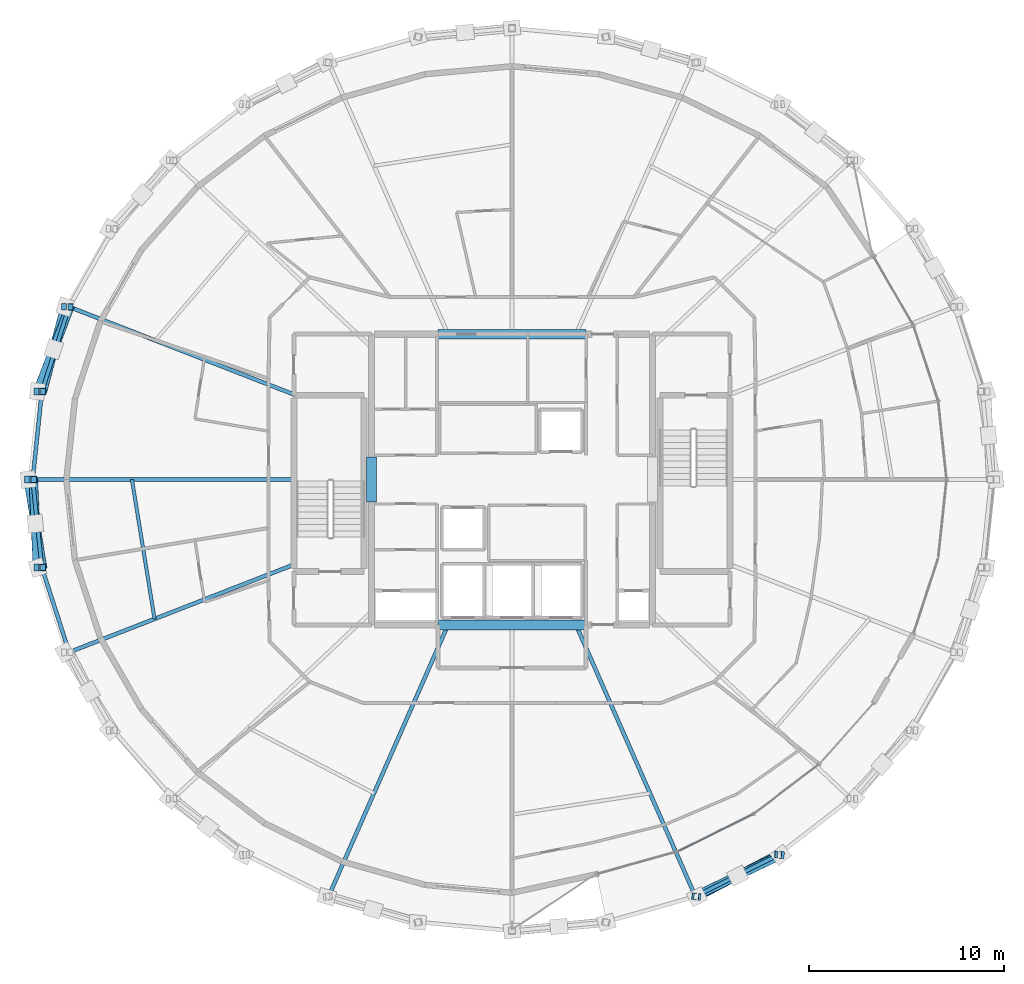
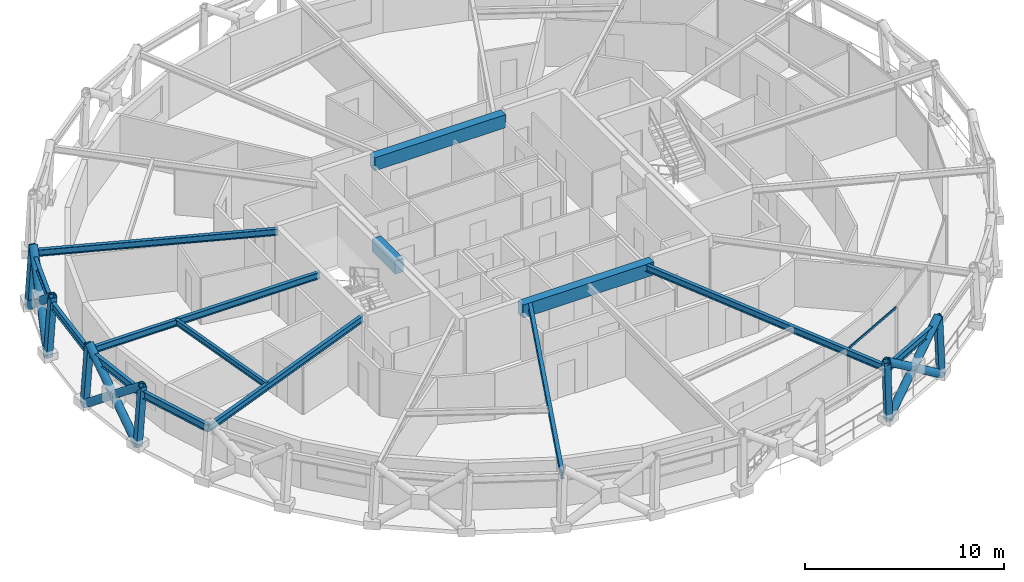
# One storey, part 3 of 17: 16 members, 14 beams, 1 element without a shape of its own.
"""IFC4 building model written with IfcOpenShell, lengths in metres."""

import ifcopenshell
import ifcopenshell.guid

model = None  # the IFC model being written
_history = None  # IfcOwnerHistory: only IFC2X3 demands one
_inside = {}  # id of a spatial element -> (the spatial element, [elements in it])
_under = {}  # id of a project, library or spatial element -> (it, [spatial elements below it])
_declared = {}  # id of a project -> (the project, [libraries it declares])
_typed = {}  # id of a type object -> (the type object, [elements of that type])
_made_of = {}  # id of a material, layer set ... -> (it, [elements and type objects made of it])


def new_model(schema):
    """Start an empty IFC model of exactly this schema.

    Asked for "IFC4X3", IfcOpenShell would pick the latest addendum, in which some entities
    have other attributes; the version numbers below select the first issue.
    IFC2X3 requires an IfcOwnerHistory on every rooted entity: one is made here for all.
    """
    global model, _history
    if schema == "IFC4X3":
        model = ifcopenshell.file(schema_version=(4, 3, 0, 0))
    else:
        model = ifcopenshell.file(schema=schema)
    _inside.clear()
    _under.clear()
    _declared.clear()
    _typed.clear()
    _made_of.clear()
    _history = None
    if model.schema == "IFC2X3":
        org = make("IfcOrganization", Name="unknown")
        user = make(
            "IfcPersonAndOrganization",
            ThePerson=make("IfcPerson", FamilyName="unknown"),
            TheOrganization=org,
        )
        app = make(
            "IfcApplication",
            ApplicationDeveloper=org,
            Version="unknown",
            ApplicationFullName="unknown",
            ApplicationIdentifier="unknown",
        )
        _history = make(
            "IfcOwnerHistory",
            OwningUser=user,
            OwningApplication=app,
            ChangeAction="ADDED",
            CreationDate=0,
        )
    return model


def make(cls, **values):
    """One entity of the class cls with the attributes given. An attribute that is None is left unset."""
    return model.create_entity(
        cls, **{name: value for name, value in values.items() if value is not None}
    )


def rooted(cls, **values):
    """An entity with a GlobalId (a new one), such as an element, a storey or a relation."""
    return make(cls, GlobalId=ifcopenshell.guid.new(), OwnerHistory=_history, **values)


def si_unit(unit_type, name, prefix=None):
    """IfcSIUnit, for example si_unit("LENGTHUNIT", "METRE", prefix="MILLI")."""
    return make("IfcSIUnit", UnitType=unit_type, Prefix=prefix, Name=name)


def assignment(units):
    """IfcUnitAssignment: the units of a project."""
    return None if units is None else make("IfcUnitAssignment", Units=units)


def point(xyz):
    """IfcCartesianPoint."""
    return None if xyz is None else make("IfcCartesianPoint", Coordinates=xyz)


def direction(xyz):
    """IfcDirection."""
    return None if xyz is None else make("IfcDirection", DirectionRatios=xyz)


def frame(location, z_axis=None, x_axis=None):
    """IfcAxis2Placement3D, a coordinate frame: its origin and axes. An axis left out is left unset."""
    return make(
        "IfcAxis2Placement3D",
        Location=point(location),
        Axis=direction(z_axis),
        RefDirection=direction(x_axis),
    )


def frame_2d(location, x_axis=None):
    """IfcAxis2Placement2D, a coordinate frame in the plane: its origin and x axis."""
    return make(
        "IfcAxis2Placement2D", Location=point(location), RefDirection=direction(x_axis)
    )


def origin():
    """The frame at (0, 0, 0) with its axes left unset."""
    return frame((0.0, 0.0, 0.0))


def origin_2d():
    """The frame at (0, 0) in the plane with its x axis left unset."""
    return frame_2d((0.0, 0.0))


def place(relative_to, where):
    """IfcLocalPlacement: puts the frame where relative to a parent placement (None: the world)."""
    return make(
        "IfcLocalPlacement", PlacementRelTo=relative_to, RelativePlacement=where
    )


def context(
    kind, dimensions, precision=None, world=None, true_north=None, identifier=None
):
    """IfcGeometricRepresentationContext, for example the 3D "Model" context."""
    return make(
        "IfcGeometricRepresentationContext",
        ContextIdentifier=identifier,
        ContextType=kind,
        CoordinateSpaceDimension=dimensions,
        Precision=precision,
        WorldCoordinateSystem=world,
        TrueNorth=true_north,
    )


def subcontext(parent, identifier, kind, view, scale=None):
    """IfcGeometricRepresentationSubContext, for example "Body" below "Model"."""
    return make(
        "IfcGeometricRepresentationSubContext",
        ContextIdentifier=identifier,
        ContextType=kind,
        ParentContext=parent,
        TargetScale=scale,
        TargetView=view,
    )


def project(units=None, contexts=None):
    """IfcProject with its units and contexts."""
    return rooted(
        "IfcProject",
        Name="project",
        RepresentationContexts=contexts,
        UnitsInContext=assignment(units),
    )


def spatial(cls, under=None, at=None, **own):
    """A site, building, storey or space (cls), placed at a placement, below another one or the project."""
    s = rooted(cls, ObjectPlacement=at, **own)
    if under is not None:
        _under.setdefault(under.id(), (under, []))[1].append(s)
    return s


def profile(cls, at=None, kind="AREA", **sizes):
    """A parametric profile (cls). Its sizes go by their IFC names, for example OverallWidth=200.0."""
    return make(cls, ProfileType=kind, Position=at, **sizes)


def rectangle(**sizes):
    """IfcRectangleProfileDef."""
    return profile("IfcRectangleProfileDef", **sizes)


def hollow_rectangle(**sizes):
    """IfcRectangleHollowProfileDef."""
    return profile("IfcRectangleHollowProfileDef", **sizes)


def hollow_circle(**sizes):
    """IfcCircleHollowProfileDef."""
    return profile("IfcCircleHollowProfileDef", **sizes)


def i_section(**sizes):
    """IfcIShapeProfileDef."""
    return profile("IfcIShapeProfileDef", **sizes)


def extrude(swept, where, along, depth):
    """IfcExtrudedAreaSolid: the profile swept, set in the frame where, extruded along a direction by depth."""
    return make(
        "IfcExtrudedAreaSolid",
        SweptArea=swept,
        Position=where,
        ExtrudedDirection=direction(along),
        Depth=depth,
    )


def shape(context_of_items, identifier, shape_type, items):
    """IfcShapeRepresentation: the items that make up one representation, for example the "Body"."""
    return make(
        "IfcShapeRepresentation",
        ContextOfItems=context_of_items,
        RepresentationIdentifier=identifier,
        RepresentationType=shape_type,
        Items=items,
    )


def material(Name=None, Category=None):
    """IfcMaterial."""
    return make("IfcMaterial", Name=Name, Category=Category)


def layer(
    of_material, thickness, ventilated=None, Name=None, Category=None, Priority=None
):
    """IfcMaterialLayer: one layer of a wall or slab, of a material (None: an air gap)."""
    return make(
        "IfcMaterialLayer",
        Material=of_material,
        LayerThickness=thickness,
        IsVentilated=ventilated,
        Name=Name,
        Category=Category,
        Priority=Priority,
    )


def layer_set(layers, Name=None):
    """IfcMaterialLayerSet."""
    return make("IfcMaterialLayerSet", MaterialLayers=layers, LayerSetName=Name)


def material_profile(
    of_material, cross_section, Name=None, Category=None, Priority=None
):
    """IfcMaterialProfile: a cross section and its material."""
    return make(
        "IfcMaterialProfile",
        Name=Name,
        Material=of_material,
        Profile=cross_section,
        Priority=Priority,
        Category=Category,
    )


def profile_set(profiles, Name=None, composite=None):
    """IfcMaterialProfileSet."""
    return make(
        "IfcMaterialProfileSet",
        Name=Name,
        MaterialProfiles=profiles,
        CompositeProfile=composite,
    )


def made_of(thing, what):
    """Note that an element or type object is made of a material, layer set ...; save() writes the relation."""
    if what is not None:
        _made_of.setdefault(what.id(), (what, []))[1].append(thing)
    return thing


def type_object(cls, material=None, **own):
    """A type object (cls), such as IfcWallType, which elements share."""
    return made_of(rooted(cls, **own), material)


def element(
    cls,
    number,
    at=None,
    inside=None,
    cuts=None,
    type_object=None,
    material=None,
    context=None,
    identifier="Body",
    shape_type=None,
    held_by="IfcProductDefinitionShape",
    body=None,
    shapes=None,
    **own,
):
    """One element of the class cls, such as IfcWall. Its Tag is "e" and its number.

    at: its placement. inside: the storey or other place that contains it. cuts: it is an
    opening in that element (IfcRelVoidsElement). A single representation is given by context,
    identifier, shape_type and body (its items); several are given by shapes. held_by: the class
    of the entity that holds the representations. save() writes the other relations.
    """
    e = rooted(cls, Tag="e%d" % number, ObjectPlacement=at, **own)
    if body is not None:
        shapes = [shape(context, identifier, shape_type, body)]
    if shapes is not None:
        e.Representation = make(held_by, Representations=shapes)
    if inside is not None:
        _inside.setdefault(inside.id(), (inside, []))[1].append(e)
    if cuts is not None:
        rooted(
            "IfcRelVoidsElement", RelatingBuildingElement=cuts, RelatedOpeningElement=e
        )
    if type_object is not None:
        _typed.setdefault(type_object.id(), (type_object, []))[1].append(e)
    return made_of(e, material)


def aggregate(whole, parts):
    """IfcRelAggregates: a whole, such as a stair, and the parts it consists of."""
    return rooted("IfcRelAggregates", RelatingObject=whole, RelatedObjects=parts)


def save(model, path):
    """Write the relations noted so far, then the file.

    IfcRelAggregates (storeys below a building ...), IfcRelContainedInSpatialStructure (elements
    in a storey), IfcRelDefinesByType, IfcRelAssociatesMaterial and IfcRelDeclares: one each for
    every whole, place, type object, material and project.
    """
    for whole, parts in _under.values():
        aggregate(whole, parts)
    for where, things in _inside.values():
        rooted(
            "IfcRelContainedInSpatialStructure",
            RelatedElements=things,
            RelatingStructure=where,
        )
    for kind, things in _typed.values():
        rooted("IfcRelDefinesByType", RelatedObjects=things, RelatingType=kind)
    for what, things in _made_of.values():
        rooted("IfcRelAssociatesMaterial", RelatedObjects=things, RelatingMaterial=what)
    for by, libraries in _declared.values():
        rooted("IfcRelDeclares", RelatingContext=by, RelatedDefinitions=libraries)
    model.write(path)


model = new_model("IFC4")

# Units and contexts
model_context = context("Model", 3, precision=1e-05, world=origin(), true_north=direction((0.0, 1.0)))
body_context = subcontext(model_context, "Body", "Model", "MODEL_VIEW")
ifc_project = project(units=[si_unit("LENGTHUNIT", "METRE"), si_unit("AREAUNIT", "SQUARE_METRE"), si_unit("VOLUMEUNIT", "CUBIC_METRE"), si_unit("PLANEANGLEUNIT", "RADIAN"), si_unit("MASSUNIT", "GRAM", prefix="KILO")], contexts=[model_context])

# Site, building, storey
site_placement = place(None, origin())
site = spatial("IfcSite", under=ifc_project, at=site_placement, CompositionType="ELEMENT")
building_placement = place(site_placement, origin())
building = spatial("IfcBuilding", under=site, at=building_placement, Name="Veldorina Hangang Commons", CompositionType="ELEMENT")
storey_placement = place(building_placement, frame((0.0, 0.0, 225.60009765625)))
storey = spatial("IfcBuildingStorey", under=building, at=storey_placement, Name="L58", CompositionType="ELEMENT", Elevation=225.60009765625)

# Beams
ifc_material_1 = material(Name="Concrete C50/60", Category="concrete")
ifc_material_profile_1 = material_profile(ifc_material_1, rectangle(XDim=0.5, YDim=0.800048828125, at=origin_2d()), Name="RC-CB-500x800")
ifc_profile_set_1 = profile_set([ifc_material_profile_1], Name="Concrete C50/60")
beam_type_1 = type_object("IfcBeamType", Name="BM-CB800", PredefinedType="LINTEL", material=ifc_profile_set_1)
beam_1_placement = place(storey_placement, frame((24.800048828125, 22.85009765625, 2.9599609375), z_axis=(0.0, 1.0, 0.0), x_axis=(-1.0, 0.0, 0.0)))
element("IfcBeam", 1, at=beam_1_placement, inside=storey, type_object=beam_type_1, Name="L58 W core coupling lintel beam", PredefinedType="LINTEL", context=body_context, shape_type="SweptSolid", body=[
    extrude(rectangle(XDim=0.5, YDim=0.800048828125, at=origin_2d()), origin(), (0.0, 0.0, 1.0), 2.2998046875),
])
for number, where, z_axis, x_axis, name in (
    (2, (28.199951171875, 16.550048828125, 2.9599609375), (1.0, 0.0, 0.0), (0.0, 1.0, 0.0), "L58 south core coupling beam"),
    (3, (28.199951171875, 31.449951171875, 2.9599609375), (1.0, 0.0, 0.0), (0.0, 1.0, 0.0), "L58 north core coupling beam"),
):
    element("IfcBeam", number, at=place(storey_placement, frame(where, z_axis=z_axis, x_axis=x_axis)), inside=storey, type_object=beam_type_1, Name=name, PredefinedType="LINTEL", context=body_context, shape_type="SweptSolid", body=[
        extrude(rectangle(XDim=0.5, YDim=0.800048828125, at=origin_2d()), origin(), (0.0, 0.0, 1.0), 7.60009765625),
    ])
ifc_material_2 = material(Name="Steel SM355-TMC", Category="steel")
ifc_material_profile_2 = material_profile(ifc_material_2, i_section(OverallWidth=0.199951171875, OverallDepth=0.39990234375, WebThickness=0.008056640625, FlangeThickness=0.012939453125, FilletRadius=0.012939453125, at=origin_2d()), Name="H-400x200x8x13")
ifc_profile_set_2 = profile_set([ifc_material_profile_2], Name="Steel SM355-TMC")
beam_type_2 = type_object("IfcBeamType", Name="BM-FG400", PredefinedType="BEAM", material=ifc_profile_set_2)
beam_2_placement = place(storey_placement, frame((20.9228515625, 28.320068359375, 3.159912109375), z_axis=(-0.931654555107, 0.363345276492, 0.0), x_axis=(-0.363345276492, -0.931654555107, 0.0)))
element("IfcBeam", 4, at=beam_2_placement, inside=storey, type_object=beam_type_2, Name="L58 radial floor girder 08", PredefinedType="BEAM", context=body_context, shape_type="SweptSolid", body=[
    extrude(i_section(OverallWidth=0.199951171875, OverallDepth=0.39990234375, WebThickness=0.008056640625, FlangeThickness=0.012939453125, FilletRadius=0.012939453125, at=origin_2d()), origin(), (0.0, 0.0, 1.0), 12.4736328125),
])
beam_3_placement = place(storey_placement, frame((20.820068359375, 24.0, 3.159912109375), z_axis=(-1.0, 0.0, 0.0), x_axis=(0.0, -1.0, 0.0)))
element("IfcBeam", 5, at=beam_3_placement, inside=storey, type_object=beam_type_2, Name="L58 radial floor girder 09", PredefinedType="BEAM", context=body_context, shape_type="SweptSolid", body=[
    extrude(i_section(OverallWidth=0.199951171875, OverallDepth=0.39990234375, WebThickness=0.008056640625, FlangeThickness=0.012939453125, FilletRadius=0.012939453125, at=origin_2d()), origin(), (0.0, 0.0, 1.0), 13.388427734375),
])
beam_4_placement = place(storey_placement, frame((20.820068359375, 19.639892578125, 3.159912109375), z_axis=(-0.931653285014, -0.363348533124, 0.0), x_axis=(0.363348533124, -0.931653285014, 0.0)))
element("IfcBeam", 6, at=beam_4_placement, inside=storey, type_object=beam_type_2, Name="L58 radial floor girder 10", PredefinedType="BEAM", context=body_context, shape_type="SweptSolid", body=[
    extrude(i_section(OverallWidth=0.199951171875, OverallDepth=0.39990234375, WebThickness=0.008056640625, FlangeThickness=0.012939453125, FilletRadius=0.012939453125, at=origin_2d()), origin(), (0.0, 0.0, 1.0), 12.36328125),
])
for number, where, z_axis, x_axis, name in (
    (7, (28.722412109375, 16.550048828125, 3.159912109375), (-0.402695039445, -0.915334204106, 0.0), (0.915334204106, -0.402695039445, 0.0), "L58 radial floor girder 12"),
    (8, (35.277587890625, 16.550048828125, 3.159912109375), (0.402695039445, -0.915334204106, 0.0), (0.915334204106, 0.402695039445, 0.0), "L58 radial floor girder 14"),
):
    element("IfcBeam", number, at=place(storey_placement, frame(where, z_axis=z_axis, x_axis=x_axis)), inside=storey, type_object=beam_type_2, Name=name, PredefinedType="BEAM", context=body_context, shape_type="SweptSolid", body=[
        extrude(i_section(OverallWidth=0.199951171875, OverallDepth=0.39990234375, WebThickness=0.008056640625, FlangeThickness=0.012939453125, FilletRadius=0.012939453125, at=origin_2d()), origin(), (0.0, 0.0, 1.0), 15.208740234375),
    ])
ifc_material_profile_3 = material_profile(ifc_material_2, i_section(OverallWidth=0.175048828125, OverallDepth=0.35009765625, WebThickness=0.007080078125, FlangeThickness=0.010986328125, FilletRadius=0.012939453125, at=origin_2d()), Name="H-350x175x7x11")
ifc_profile_set_3 = profile_set([ifc_material_profile_3], Name="Steel SM355-TMC")
beam_type_3 = type_object("IfcBeamType", Name="BM-JST350", PredefinedType="JOIST", material=ifc_profile_set_3)
beam_5_placement = place(storey_placement, frame((12.519287109375, 24.0, 3.184814453125), z_axis=(0.160169746355, -0.987089485484, 0.0), x_axis=(0.987089485484, 0.160169746355, 0.0)))
element("IfcBeam", 9, at=beam_5_placement, inside=storey, type_object=beam_type_3, Name="L58 secondary floor joist 09", PredefinedType="JOIST", context=body_context, shape_type="SweptSolid", body=[
    extrude(i_section(OverallWidth=0.175048828125, OverallDepth=0.35009765625, WebThickness=0.007080078125, FlangeThickness=0.010986328125, FilletRadius=0.012939453125, at=origin_2d()), origin(), (0.0, 0.0, 1.0), 7.23876953125),
])
ifc_material_profile_4 = material_profile(ifc_material_2, i_section(OverallWidth=0.199951171875, OverallDepth=0.449951171875, WebThickness=0.009033203125, FlangeThickness=0.013916015625, FilletRadius=0.01611328125, at=origin_2d()), Name="H-450x200x9x14")
ifc_profile_set_4 = profile_set([ifc_material_profile_4], Name="Steel SM355-TMC")
beam_type_4 = type_object("IfcBeamType", Name="BM-RB450", PredefinedType="BEAM", material=ifc_profile_set_4)
beam_6_placement = place(storey_placement, frame((9.3017578125, 32.852294921875, 3.135009765625), z_axis=(-0.306669511736, -0.951816059211, 0.0), x_axis=(0.951816059211, -0.306669511736, 0.0)))
element("IfcBeam", 10, at=beam_6_placement, inside=storey, type_object=beam_type_4, Name="L58 perimeter hoop ring beam 14", PredefinedType="BEAM", context=body_context, shape_type="SweptSolid", body=[
    extrude(i_section(OverallWidth=0.199951171875, OverallDepth=0.449951171875, WebThickness=0.009033203125, FlangeThickness=0.013916015625, FilletRadius=0.01611328125, at=origin_2d()), origin(), (0.0, 0.0, 1.0), 4.559326171875),
])
for number, where, z_axis, x_axis, name in (
    (11, (7.903564453125, 28.5126953125, 3.135009765625), (-0.104009735312, -0.994576279106, 0.0), (0.994576279106, -0.104009735312, 0.0), "L58 perimeter hoop ring beam 15"),
    (12, (7.431640625, 24.0, 3.135009765625), (0.104009735312, -0.994576279106, 0.0), (0.994576279106, 0.104009735312, 0.0), "L58 perimeter hoop ring beam 16"),
):
    element("IfcBeam", number, at=place(storey_placement, frame(where, z_axis=z_axis, x_axis=x_axis)), inside=storey, type_object=beam_type_4, Name=name, PredefinedType="BEAM", context=body_context, shape_type="SweptSolid", body=[
        extrude(i_section(OverallWidth=0.199951171875, OverallDepth=0.449951171875, WebThickness=0.009033203125, FlangeThickness=0.013916015625, FilletRadius=0.01611328125, at=origin_2d()), origin(), (0.0, 0.0, 1.0), 4.537353515625),
    ])
beam_7_placement = place(storey_placement, frame((7.903564453125, 19.4873046875, 3.135009765625), z_axis=(0.306669511736, -0.951816059211, 0.0), x_axis=(0.951816059211, 0.306669511736, 0.0)))
element("IfcBeam", 13, at=beam_7_placement, inside=storey, type_object=beam_type_4, Name="L58 perimeter hoop ring beam 17", PredefinedType="BEAM", context=body_context, shape_type="SweptSolid", body=[
    extrude(i_section(OverallWidth=0.199951171875, OverallDepth=0.449951171875, WebThickness=0.009033203125, FlangeThickness=0.013916015625, FilletRadius=0.01611328125, at=origin_2d()), origin(), (0.0, 0.0, 1.0), 4.559326171875),
])
beam_8_placement = place(storey_placement, frame((41.402099609375, 2.62890625, 3.135009765625), z_axis=(0.893243145292, 0.449573890911, 0.0), x_axis=(-0.449573890911, 0.893243145292, 0.0)))
element("IfcBeam", 14, at=beam_8_placement, inside=storey, type_object=beam_type_4, Name="L58 perimeter hoop ring beam 26", PredefinedType="BEAM", context=body_context, shape_type="SweptSolid", body=[
    extrude(i_section(OverallWidth=0.199951171875, OverallDepth=0.449951171875, WebThickness=0.009033203125, FlangeThickness=0.013916015625, FilletRadius=0.01611328125, at=origin_2d()), origin(), (0.0, 0.0, 1.0), 4.7548828125),
])

# Curtain wall, member
ifc_material_3 = material(Name="Glass Low-E Selective", Category="glass")
ifc_layer = layer(ifc_material_3, 0.179931640625)
ifc_layer_set = layer_set([ifc_layer], Name="Glass Low-E Selective")
curtain_wall_type = type_object("IfcCurtainWallType", Name="CW-SYS-Z3", PredefinedType="NOTDEFINED", material=ifc_layer_set)
curtain_wall_placement = place(storey_placement, origin())
curtain_wall = element("IfcCurtainWall", 15, at=curtain_wall_placement, inside=storey, type_object=curtain_wall_type, Name="L58 unitised curtain wall CW-L58-R1", PredefinedType="NOTDEFINED")
ifc_material_4 = material(Name="Aluminium Anodized AA6063-T6", Category="aluminium")
ifc_material_profile_5 = material_profile(ifc_material_4, hollow_rectangle(XDim=0.06005859375, YDim=0.139892578125, WallThickness=0.00341796875, at=origin_2d()), Name="ALU-RHS-140x60x3.5")
ifc_profile_set_5 = profile_set([ifc_material_profile_5], Name="Aluminium Anodized AA6063-T6")
member_type_1 = type_object("IfcMemberType", Name="CW-TRN-140", PredefinedType="USERDEFINED", material=ifc_profile_set_5)
member_1_placement = place(storey_placement, frame((40.5263671875, 4.947509765625, 3.27978515625), z_axis=(0.896327816679, 0.443391976751, 0.0), x_axis=(-0.443391976751, 0.896327816679, 0.0)))
member_1 = element("IfcMember", 16, at=member_1_placement, type_object=member_type_1, Name="CW-L58-R1 facet 2 transom 1", ObjectType="TRANSOM", PredefinedType="USERDEFINED", context=body_context, shape_type="SweptSolid", body=[
    extrude(hollow_rectangle(XDim=0.06005859375, YDim=0.139892578125, WallThickness=0.00341796875, at=origin_2d()), origin(), (0.0, 0.0, 1.0), 4.297607421875),
])
aggregate(curtain_wall, [member_1])

# Members
ifc_material_profile_6 = material_profile(ifc_material_2, hollow_circle(Radius=0.22509765625, WallThickness=0.02197265625, at=origin_2d()), Name="CHS-450x22")
ifc_profile_set_6 = profile_set([ifc_material_profile_6], Name="Steel SM355-TMC")
member_type_2 = type_object("IfcMemberType", Name="DG-CHS450", PredefinedType="BRACE", material=ifc_profile_set_6)
member_2_placement = place(storey_placement, frame((9.087158203125, 32.856201171875, 0.0), z_axis=(-0.19968005316, -0.754450521516, 0.625245781236), x_axis=(0.966713924288, -0.255859704894, 0.0)))
element("IfcMember", 17, at=member_2_placement, inside=storey, type_object=member_type_2, Name="L58 continuous perimeter diagrid brace 14", PredefinedType="BRACE", context=body_context, shape_type="SweptSolid", body=[
    extrude(hollow_circle(Radius=0.22509765625, WallThickness=0.02197265625, at=origin_2d()), origin(), (0.0, 0.0, 1.0), 5.757568359375),
])
member_3_placement = place(storey_placement, frame((7.67578125, 28.514892578125, 0.0), z_axis=(0.284428659812, 0.737355349042, 0.61270500791), x_axis=(-0.932993089777, 0.359894282294, 0.0)))
element("IfcMember", 18, at=member_3_placement, inside=storey, type_object=member_type_2, Name="L58 split perimeter diagrid lower brace 15", PredefinedType="BRACE", context=body_context, shape_type="SweptSolid", body=[
    extrude(hollow_circle(Radius=0.22509765625, WallThickness=0.02197265625, at=origin_2d()), origin(), (0.0, 0.0, 1.0), 2.93994140625),
])
member_4_placement = place(storey_placement, frame((8.511962890625, 30.6826171875, 1.80126953125), z_axis=(0.279910399209, 0.738996727065, 0.612808294495), x_axis=(-0.935164728459, 0.35421311473, 0.0)))
element("IfcMember", 19, at=member_4_placement, inside=storey, type_object=member_type_2, Name="L58 split perimeter diagrid upper brace 15", PredefinedType="BRACE", context=body_context, shape_type="SweptSolid", body=[
    extrude(hollow_circle(Radius=0.22509765625, WallThickness=0.02197265625, at=origin_2d()), origin(), (0.0, 0.0, 1.0), 2.93505859375),
])
member_5_placement = place(storey_placement, frame((7.199462890625, 24.0, 0.0), z_axis=(0.126822744381, -0.775410117235, 0.618591255675), x_axis=(0.986887266591, 0.161411037543, 0.0)))
element("IfcMember", 20, at=member_5_placement, inside=storey, type_object=member_type_2, Name="L58 continuous perimeter diagrid brace 16", PredefinedType="BRACE", context=body_context, shape_type="SweptSolid", body=[
    extrude(hollow_circle(Radius=0.22509765625, WallThickness=0.02197265625, at=origin_2d()), origin(), (0.0, 0.0, 1.0), 5.8193359375),
])
member_6_placement = place(storey_placement, frame((7.67578125, 19.485107421875, 0.0), z_axis=(-0.03708785668, 0.781294985362, 0.623059095701), x_axis=(-0.998875213258, -0.047416329868, 0.0)))
element("IfcMember", 21, at=member_6_placement, inside=storey, type_object=member_type_2, Name="L58 split perimeter diagrid lower brace 17", PredefinedType="BRACE", context=body_context, shape_type="SweptSolid", body=[
    extrude(hollow_circle(Radius=0.22509765625, WallThickness=0.02197265625, at=origin_2d()), origin(), (0.0, 0.0, 1.0), 2.889892578125),
])
member_7_placement = place(storey_placement, frame((7.568603515625, 21.742919921875, 1.800537109375), z_axis=(-0.035501129017, 0.781447470865, 0.622960287753), x_axis=(-0.99896965388, -0.045383153556, 0.0)))
element("IfcMember", 22, at=member_7_placement, inside=storey, type_object=member_type_2, Name="L58 split perimeter diagrid upper brace 17", PredefinedType="BRACE", context=body_context, shape_type="SweptSolid", body=[
    extrude(hollow_circle(Radius=0.22509765625, WallThickness=0.02197265625, at=origin_2d()), origin(), (0.0, 0.0, 1.0), 2.888427734375),
])
member_8_placement = place(storey_placement, frame((41.49072265625, 2.619140625, 0.0), z_axis=(0.702620340153, 0.36469459859, 0.61100123352), x_axis=(-0.460688405917, 0.887561937362, 0.0)))
element("IfcMember", 23, at=member_8_placement, inside=storey, type_object=member_type_2, Name="L58 continuous perimeter diagrid brace 26", PredefinedType="BRACE", context=body_context, shape_type="SweptSolid", body=[
    extrude(hollow_circle(Radius=0.22509765625, WallThickness=0.02197265625, at=origin_2d()), origin(), (0.0, 0.0, 1.0), 5.891845703125),
])
member_9_placement = place(storey_placement, frame((45.778564453125, 4.7578125, 0.0), z_axis=(-0.725499684898, -0.34799609112, 0.593758307545), x_axis=(0.432484839898, -0.901641205391, 0.0)))
element("IfcMember", 24, at=member_9_placement, inside=storey, type_object=member_type_2, Name="L58 split perimeter diagrid lower brace 27", PredefinedType="BRACE", context=body_context, shape_type="SweptSolid", body=[
    extrude(hollow_circle(Radius=0.22509765625, WallThickness=0.02197265625, at=origin_2d()), origin(), (0.0, 0.0, 1.0), 3.044677734375),
])
member_10_placement = place(storey_placement, frame((43.569580078125, 3.6982421875, 1.807861328125), z_axis=(-0.722609969916, -0.353862069908, 0.59381517904), x_axis=(0.439797938508, -0.898096750514, 0.0)))
element("IfcMember", 25, at=member_10_placement, inside=storey, type_object=member_type_2, Name="L58 split perimeter diagrid upper brace 27", PredefinedType="BRACE", context=body_context, shape_type="SweptSolid", body=[
    extrude(hollow_circle(Radius=0.22509765625, WallThickness=0.02197265625, at=origin_2d()), origin(), (0.0, 0.0, 1.0), 3.017822265625),
])
ifc_material_profile_7 = material_profile(ifc_material_2, hollow_rectangle(XDim=0.35009765625, YDim=0.35009765625, WallThickness=0.01611328125, at=origin_2d()), Name="SHS-350x350x16")
ifc_profile_set_7 = profile_set([ifc_material_profile_7], Name="Steel SM355-TMC")
member_type_3 = type_object("IfcMemberType", Name="STR-SHS350", PredefinedType="STRUT", material=ifc_profile_set_7)
member_11_placement = place(storey_placement, frame((9.087158203125, 32.856201171875, 0.0), z_axis=(0.068270263131, -0.001285564915, 0.997666035552), x_axis=(0.018827187615, 0.999822752795, 0.0)))
element("IfcMember", 26, at=member_11_placement, inside=storey, type_object=member_type_3, Name="L58 perimeter ring node post 14", PredefinedType="STRUT", context=body_context, shape_type="SweptSolid", body=[
    extrude(hollow_rectangle(XDim=0.35009765625, YDim=0.35009765625, WallThickness=0.01611328125, at=origin_2d()), origin(), (0.0, 0.0, 1.0), 3.608154296875),
])
member_12_placement = place(storey_placement, frame((7.67578125, 28.514892578125, 0.0), z_axis=(0.07251121183, -0.000676410558, 0.997367367938), x_axis=(0.009327952367, 0.999956493706, 0.0)))
element("IfcMember", 27, at=member_12_placement, inside=storey, type_object=member_type_3, Name="L58 perimeter ring node post 15", PredefinedType="STRUT", context=body_context, shape_type="SweptSolid", body=[
    extrude(hollow_rectangle(XDim=0.35009765625, YDim=0.35009765625, WallThickness=0.01611328125, at=origin_2d()), origin(), (0.0, 0.0, 1.0), 3.609375),
])
member_13_placement = place(storey_placement, frame((7.199462890625, 24.0, 0.0), z_axis=(0.073856737664, 0.0, 0.997268861592), x_axis=(0.0, 1.0, 0.0)))
element("IfcMember", 28, at=member_13_placement, inside=storey, type_object=member_type_3, Name="L58 perimeter ring node post 16", PredefinedType="STRUT", context=body_context, shape_type="SweptSolid", body=[
    extrude(hollow_rectangle(XDim=0.35009765625, YDim=0.35009765625, WallThickness=0.01611328125, at=origin_2d()), origin(), (0.0, 0.0, 1.0), 3.609619140625),
])
member_14_placement = place(storey_placement, frame((7.67578125, 19.485107421875, 0.0), z_axis=(0.07251121183, 0.000676410558, 0.997367367938), x_axis=(-0.009327952367, 0.999956493706, 0.0)))
element("IfcMember", 29, at=member_14_placement, inside=storey, type_object=member_type_3, Name="L58 perimeter ring node post 17", PredefinedType="STRUT", context=body_context, shape_type="SweptSolid", body=[
    extrude(hollow_rectangle(XDim=0.35009765625, YDim=0.35009765625, WallThickness=0.01611328125, at=origin_2d()), origin(), (0.0, 0.0, 1.0), 3.609375),
])
member_15_placement = place(storey_placement, frame((41.49072265625, 2.619140625, 0.0), z_axis=(-0.028269332956, 0.003118439607, 0.999595478255), x_axis=(-0.109646640294, -0.993970630488, 0.0)))
element("IfcMember", 30, at=member_15_placement, inside=storey, type_object=member_type_3, Name="L58 perimeter ring node post 26", PredefinedType="STRUT", context=body_context, shape_type="SweptSolid", body=[
    extrude(hollow_rectangle(XDim=0.35009765625, YDim=0.35009765625, WallThickness=0.01611328125, at=origin_2d()), origin(), (0.0, 0.0, 1.0), 3.601318359375),
])
member_16_placement = place(storey_placement, frame((45.778564453125, 4.7578125, 0.0), z_axis=(-0.041131500621, 0.002778239745, 0.999149879168), x_axis=(-0.067391746744, -0.997726592044, 0.0)))
element("IfcMember", 31, at=member_16_placement, inside=storey, type_object=member_type_3, Name="L58 perimeter ring node post 27", PredefinedType="STRUT", context=body_context, shape_type="SweptSolid", body=[
    extrude(hollow_rectangle(XDim=0.35009765625, YDim=0.35009765625, WallThickness=0.01611328125, at=origin_2d()), origin(), (0.0, 0.0, 1.0), 3.60302734375),
])

save(model, "model.ifc")
